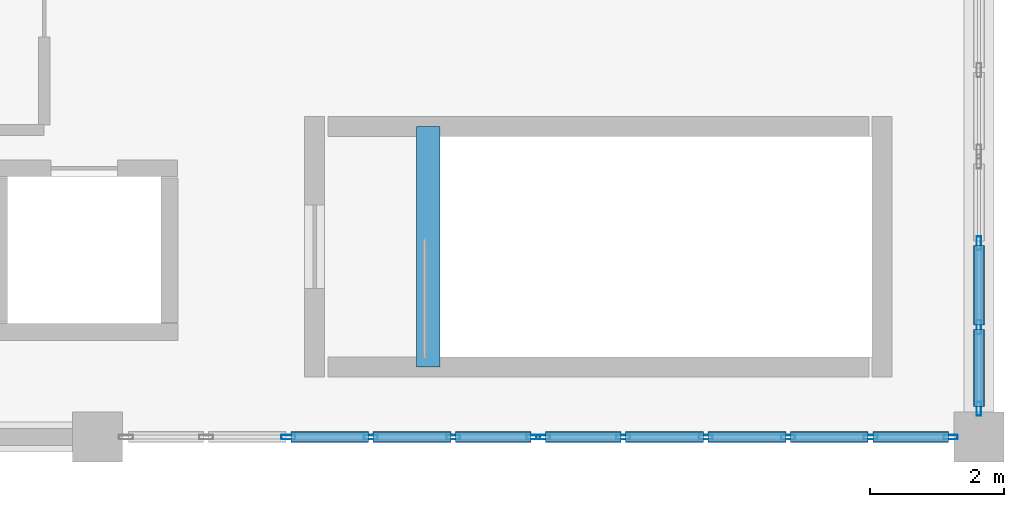
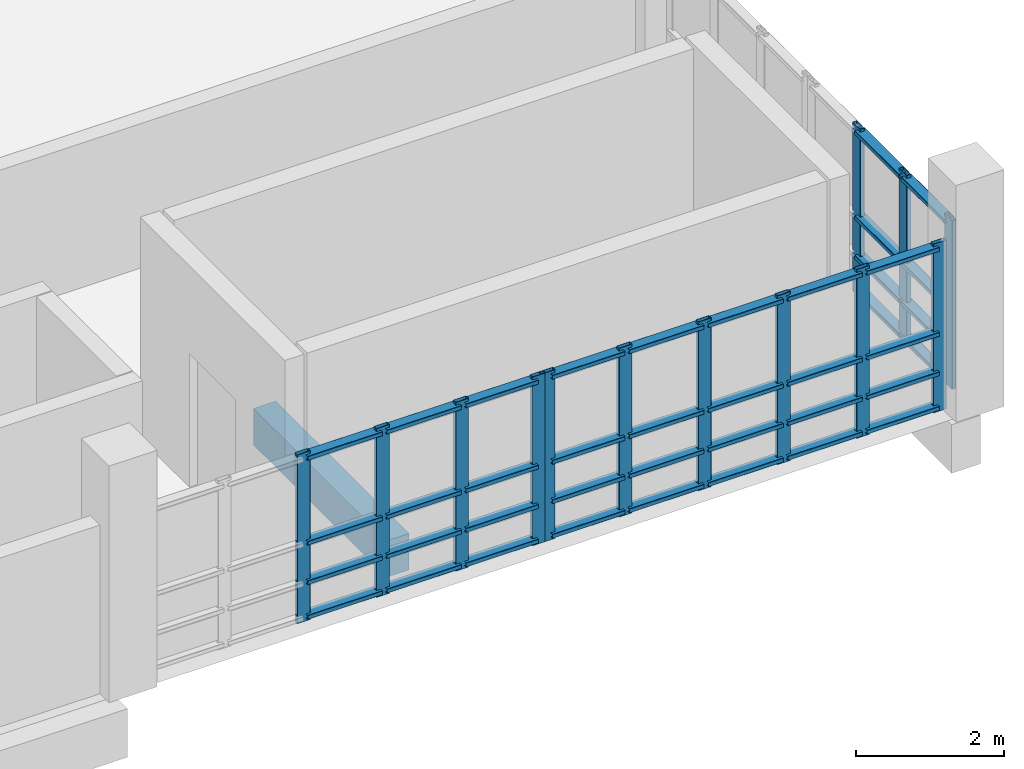
# One storey, part 118 of 188: 53 members, 1 beam, 3 elements without a shape of their own.
"""IFC4 building model written with IfcOpenShell, lengths in metres."""

from ifc_helpers import new_model, si_unit, direction, frame, origin, origin_2d, place, context, subcontext, project, spatial, rectangle, hollow_rectangle, extrude, material, layer, layer_set, material_profile, profile_set, type_object, element, aggregate, save


model = new_model("IFC4")

# Units and contexts
model_context = context("Model", 3, precision=1e-05, world=origin(), true_north=direction((0.0, 1.0)))
body_context = subcontext(model_context, "Body", "Model", "MODEL_VIEW")
ifc_project = project(units=[si_unit("LENGTHUNIT", "METRE"), si_unit("AREAUNIT", "SQUARE_METRE"), si_unit("VOLUMEUNIT", "CUBIC_METRE"), si_unit("PLANEANGLEUNIT", "RADIAN"), si_unit("MASSUNIT", "GRAM", prefix="KILO")], contexts=[model_context])

# Site, building, storey
site_placement = place(None, origin())
site = spatial("IfcSite", under=ifc_project, at=site_placement, CompositionType="ELEMENT")
building_placement = place(site_placement, origin())
building = spatial("IfcBuilding", under=site, at=building_placement, Name="Kisaragi Civic Commons", CompositionType="ELEMENT")
storey_placement = place(building_placement, frame((0.0, 0.0, 9.60009765625)))
storey = spatial("IfcBuildingStorey", under=building, at=storey_placement, Name="L02", CompositionType="ELEMENT", Elevation=9.60009765625)

# Curtain wall, members
ifc_material_1 = material(Name="Thermally broken anodized aluminium and low-E double glazing", Category="aluminium")
ifc_layer = layer(ifc_material_1, 0.2099609375, Name="Thermally broken anodized aluminium and low-E double glazing", Category="aluminium")
ifc_layer_set = layer_set([ifc_layer], Name="Thermally broken anodized aluminium and low-E double glazing")
curtain_wall_type = type_object("IfcCurtainWallType", Name="CW-02", PredefinedType="NOTDEFINED", material=ifc_layer_set)
curtain_wall_1_placement = place(storey_placement, origin())
curtain_wall_1 = element("IfcCurtainWall", 1, at=curtain_wall_1_placement, inside=storey, type_object=curtain_wall_type, Name="L02 curtain wall CW-02 CW-V3-L02-040", PredefinedType="NOTDEFINED")
ifc_material_profile_1 = material_profile(ifc_material_1, hollow_rectangle(XDim=0.070068359375, YDim=0.2099609375, WallThickness=0.0048828125, InnerFilletRadius=0.0048828125, OuterFilletRadius=0.010009765625, at=origin_2d()), Name="CWM-70x210x5", Category="aluminium")
ifc_profile_set_1 = profile_set([ifc_material_profile_1], Name="Thermally broken anodized aluminium and low-E double glazing")
member_type_1 = type_object("IfcMemberType", Name="CWM-03", PredefinedType="MULLION", material=ifc_profile_set_1)
member_1_placement = place(storey_placement, frame((172.800048828125, 2.9033203125, 0.0), z_axis=(0.0, 0.0, 1.0), x_axis=(1.0, 0.0, 0.0)))
member_1 = element("IfcMember", 2, at=member_1_placement, type_object=member_type_1, Name="CW-02 mullion 2", PredefinedType="MULLION", context=body_context, shape_type="SweptSolid", body=[
    extrude(hollow_rectangle(XDim=0.070068359375, YDim=0.2099609375, WallThickness=0.0048828125, InnerFilletRadius=0.0048828125, OuterFilletRadius=0.010009765625, at=origin_2d()), origin(), (0.0, 0.0, 1.0), 2.77978515625),
])
member_2_placement = place(storey_placement, frame((172.800048828125, 1.646728515625, 0.0), z_axis=(0.0, 0.0, 1.0), x_axis=(1.0, 0.0, 0.0)))
member_2 = element("IfcMember", 3, at=member_2_placement, type_object=member_type_1, Name="CW-02 mullion 3", PredefinedType="MULLION", context=body_context, shape_type="SweptSolid", body=[
    extrude(hollow_rectangle(XDim=0.070068359375, YDim=0.2099609375, WallThickness=0.0048828125, InnerFilletRadius=0.0048828125, OuterFilletRadius=0.010009765625, at=origin_2d()), origin(), (0.0, 0.0, 1.0), 2.77978515625),
])
member_3_placement = place(storey_placement, frame((172.800048828125, 0.425048828125, 0.0), z_axis=(0.0, 0.0, 1.0), x_axis=(1.0, 0.0, 0.0)))
member_3 = element("IfcMember", 4, at=member_3_placement, type_object=member_type_1, Name="CW-02 mullion 4", PredefinedType="MULLION", context=body_context, shape_type="SweptSolid", body=[
    extrude(hollow_rectangle(XDim=0.070068359375, YDim=0.2099609375, WallThickness=0.0048828125, InnerFilletRadius=0.0048828125, OuterFilletRadius=0.010009765625, at=origin_2d()), origin(), (0.0, 0.0, 1.0), 2.77978515625),
])

curtain_wall_2_placement = place(storey_placement, origin())
curtain_wall_2 = element("IfcCurtainWall", 5, at=curtain_wall_2_placement, inside=storey, type_object=curtain_wall_type, Name="L02 curtain wall CW-02 CW-V3-L02-041", PredefinedType="NOTDEFINED")
member_4_placement = place(storey_placement, frame((172.375, 0.0, 0.0), z_axis=(0.0, 0.0, 1.0), x_axis=(0.0, -1.0, 0.0)))
member_4 = element("IfcMember", 6, at=member_4_placement, type_object=member_type_1, Name="CW-02 mullion 1", PredefinedType="MULLION", context=body_context, shape_type="SweptSolid", body=[
    extrude(hollow_rectangle(XDim=0.070068359375, YDim=0.2099609375, WallThickness=0.0048828125, InnerFilletRadius=0.0048828125, OuterFilletRadius=0.010009765625, at=origin_2d()), origin(), (0.0, 0.0, 1.0), 2.77978515625),
])
member_5_placement = place(storey_placement, frame((171.176025390625, 0.0, 0.0), z_axis=(0.0, 0.0, 1.0), x_axis=(0.0, -1.0, 0.0)))
member_5 = element("IfcMember", 7, at=member_5_placement, type_object=member_type_1, Name="CW-02 mullion 2", PredefinedType="MULLION", context=body_context, shape_type="SweptSolid", body=[
    extrude(hollow_rectangle(XDim=0.070068359375, YDim=0.2099609375, WallThickness=0.0048828125, InnerFilletRadius=0.0048828125, OuterFilletRadius=0.010009765625, at=origin_2d()), origin(), (0.0, 0.0, 1.0), 2.77978515625),
])
member_6_placement = place(storey_placement, frame((169.94189453125, 0.0, 0.0), z_axis=(0.0, 0.0, 1.0), x_axis=(0.0, -1.0, 0.0)))
member_6 = element("IfcMember", 8, at=member_6_placement, type_object=member_type_1, Name="CW-02 mullion 3", PredefinedType="MULLION", context=body_context, shape_type="SweptSolid", body=[
    extrude(hollow_rectangle(XDim=0.070068359375, YDim=0.2099609375, WallThickness=0.0048828125, InnerFilletRadius=0.0048828125, OuterFilletRadius=0.010009765625, at=origin_2d()), origin(), (0.0, 0.0, 1.0), 2.77978515625),
])
member_7_placement = place(storey_placement, frame((168.7080078125, 0.0, 0.0), z_axis=(0.0, 0.0, 1.0), x_axis=(0.0, -1.0, 0.0)))
member_7 = element("IfcMember", 9, at=member_7_placement, type_object=member_type_1, Name="CW-02 mullion 4", PredefinedType="MULLION", context=body_context, shape_type="SweptSolid", body=[
    extrude(hollow_rectangle(XDim=0.070068359375, YDim=0.2099609375, WallThickness=0.0048828125, InnerFilletRadius=0.0048828125, OuterFilletRadius=0.010009765625, at=origin_2d()), origin(), (0.0, 0.0, 1.0), 2.77978515625),
])
member_8_placement = place(storey_placement, frame((167.47412109375, 0.0, 0.0), z_axis=(0.0, 0.0, 1.0), x_axis=(0.0, -1.0, 0.0)))
member_8 = element("IfcMember", 10, at=member_8_placement, type_object=member_type_1, Name="CW-02 mullion 5", PredefinedType="MULLION", context=body_context, shape_type="SweptSolid", body=[
    extrude(hollow_rectangle(XDim=0.070068359375, YDim=0.2099609375, WallThickness=0.0048828125, InnerFilletRadius=0.0048828125, OuterFilletRadius=0.010009765625, at=origin_2d()), origin(), (0.0, 0.0, 1.0), 2.77978515625),
])
member_9_placement = place(storey_placement, frame((166.27490234375, 0.0, 0.0), z_axis=(0.0, 0.0, 1.0), x_axis=(0.0, -1.0, 0.0)))
member_9 = element("IfcMember", 11, at=member_9_placement, type_object=member_type_1, Name="CW-02 mullion 6", PredefinedType="MULLION", context=body_context, shape_type="SweptSolid", body=[
    extrude(hollow_rectangle(XDim=0.070068359375, YDim=0.2099609375, WallThickness=0.0048828125, InnerFilletRadius=0.0048828125, OuterFilletRadius=0.010009765625, at=origin_2d()), origin(), (0.0, 0.0, 1.0), 2.77978515625),
])

curtain_wall_3_placement = place(storey_placement, origin())
curtain_wall_3 = element("IfcCurtainWall", 12, at=curtain_wall_3_placement, inside=storey, type_object=curtain_wall_type, Name="L02 curtain wall CW-02 CW-V3-L02-042", PredefinedType="NOTDEFINED")
member_10_placement = place(storey_placement, frame((166.125, 0.0, 0.0), z_axis=(0.0, 0.0, 1.0), x_axis=(0.0, -1.0, 0.0)))
member_10 = element("IfcMember", 13, at=member_10_placement, type_object=member_type_1, Name="CW-02 mullion 1", PredefinedType="MULLION", context=body_context, shape_type="SweptSolid", body=[
    extrude(hollow_rectangle(XDim=0.070068359375, YDim=0.2099609375, WallThickness=0.0048828125, InnerFilletRadius=0.0048828125, OuterFilletRadius=0.010009765625, at=origin_2d()), origin(), (0.0, 0.0, 1.0), 2.77978515625),
])
member_11_placement = place(storey_placement, frame((164.926025390625, 0.0, 0.0), z_axis=(0.0, 0.0, 1.0), x_axis=(0.0, -1.0, 0.0)))
member_11 = element("IfcMember", 14, at=member_11_placement, type_object=member_type_1, Name="CW-02 mullion 2", PredefinedType="MULLION", context=body_context, shape_type="SweptSolid", body=[
    extrude(hollow_rectangle(XDim=0.070068359375, YDim=0.2099609375, WallThickness=0.0048828125, InnerFilletRadius=0.0048828125, OuterFilletRadius=0.010009765625, at=origin_2d()), origin(), (0.0, 0.0, 1.0), 2.77978515625),
])
member_12_placement = place(storey_placement, frame((163.69189453125, 0.0, 0.0), z_axis=(0.0, 0.0, 1.0), x_axis=(0.0, -1.0, 0.0)))
member_12 = element("IfcMember", 15, at=member_12_placement, type_object=member_type_1, Name="CW-02 mullion 3", PredefinedType="MULLION", context=body_context, shape_type="SweptSolid", body=[
    extrude(hollow_rectangle(XDim=0.070068359375, YDim=0.2099609375, WallThickness=0.0048828125, InnerFilletRadius=0.0048828125, OuterFilletRadius=0.010009765625, at=origin_2d()), origin(), (0.0, 0.0, 1.0), 2.77978515625),
])
member_13_placement = place(storey_placement, frame((162.4580078125, 0.0, 0.0), z_axis=(0.0, 0.0, 1.0), x_axis=(0.0, -1.0, 0.0)))
member_13 = element("IfcMember", 16, at=member_13_placement, type_object=member_type_1, Name="CW-02 mullion 4", PredefinedType="MULLION", context=body_context, shape_type="SweptSolid", body=[
    extrude(hollow_rectangle(XDim=0.070068359375, YDim=0.2099609375, WallThickness=0.0048828125, InnerFilletRadius=0.0048828125, OuterFilletRadius=0.010009765625, at=origin_2d()), origin(), (0.0, 0.0, 1.0), 2.77978515625),
])

# Member
ifc_material_profile_2 = material_profile(ifc_material_1, hollow_rectangle(XDim=0.159912109375, YDim=0.070068359375, WallThickness=0.0048828125, InnerFilletRadius=0.0048828125, OuterFilletRadius=0.010009765625, at=origin_2d()), Name="CWT-70x160x5", Category="aluminium")
ifc_profile_set_2 = profile_set([ifc_material_profile_2], Name="Thermally broken anodized aluminium and low-E double glazing")
member_type_2 = type_object("IfcMemberType", Name="CWT-03", PredefinedType="USERDEFINED", material=ifc_profile_set_2)
member_14_placement = place(storey_placement, frame((172.800048828125, 2.868408203125, 0.079833984375), z_axis=(0.0, -1.0, 0.0), x_axis=(1.0, 0.0, 0.0)))
member_14 = element("IfcMember", 17, at=member_14_placement, type_object=member_type_2, Name="CW-02 transom 2.1", ObjectType="TRANSOM", PredefinedType="USERDEFINED", context=body_context, shape_type="SweptSolid", body=[
    extrude(hollow_rectangle(XDim=0.159912109375, YDim=0.070068359375, WallThickness=0.0048828125, InnerFilletRadius=0.0048828125, OuterFilletRadius=0.010009765625, at=origin_2d()), origin(), (0.0, 0.0, 1.0), 1.186767578125),
])

member_15_placement = place(storey_placement, frame((172.800048828125, 2.868408203125, 0.64990234375), z_axis=(0.0, -1.0, 0.0), x_axis=(1.0, 0.0, 0.0)))
member_15 = element("IfcMember", 18, at=member_15_placement, type_object=member_type_2, Name="CW-02 transom 2.2", ObjectType="TRANSOM", PredefinedType="USERDEFINED", context=body_context, shape_type="SweptSolid", body=[
    extrude(hollow_rectangle(XDim=0.159912109375, YDim=0.070068359375, WallThickness=0.0048828125, InnerFilletRadius=0.0048828125, OuterFilletRadius=0.010009765625, at=origin_2d()), origin(), (0.0, 0.0, 1.0), 1.186767578125),
])

member_16_placement = place(storey_placement, frame((172.800048828125, 2.868408203125, 1.2998046875), z_axis=(0.0, -1.0, 0.0), x_axis=(1.0, 0.0, 0.0)))
member_16 = element("IfcMember", 19, at=member_16_placement, type_object=member_type_2, Name="CW-02 transom 2.3", ObjectType="TRANSOM", PredefinedType="USERDEFINED", context=body_context, shape_type="SweptSolid", body=[
    extrude(hollow_rectangle(XDim=0.159912109375, YDim=0.070068359375, WallThickness=0.0048828125, InnerFilletRadius=0.0048828125, OuterFilletRadius=0.010009765625, at=origin_2d()), origin(), (0.0, 0.0, 1.0), 1.186767578125),
])

member_17_placement = place(storey_placement, frame((172.800048828125, 2.868408203125, 2.699951171875), z_axis=(0.0, -1.0, 0.0), x_axis=(1.0, 0.0, 0.0)))
member_17 = element("IfcMember", 20, at=member_17_placement, type_object=member_type_2, Name="CW-02 transom 2.4", ObjectType="TRANSOM", PredefinedType="USERDEFINED", context=body_context, shape_type="SweptSolid", body=[
    extrude(hollow_rectangle(XDim=0.159912109375, YDim=0.070068359375, WallThickness=0.0048828125, InnerFilletRadius=0.0048828125, OuterFilletRadius=0.010009765625, at=origin_2d()), origin(), (0.0, 0.0, 1.0), 1.186767578125),
])

member_18_placement = place(storey_placement, frame((172.800048828125, 1.611572265625, 0.079833984375), z_axis=(0.0, -1.0, 0.0), x_axis=(1.0, 0.0, 0.0)))
member_18 = element("IfcMember", 21, at=member_18_placement, type_object=member_type_2, Name="CW-02 transom 3.1", ObjectType="TRANSOM", PredefinedType="USERDEFINED", context=body_context, shape_type="SweptSolid", body=[
    extrude(hollow_rectangle(XDim=0.159912109375, YDim=0.070068359375, WallThickness=0.0048828125, InnerFilletRadius=0.0048828125, OuterFilletRadius=0.010009765625, at=origin_2d()), origin(), (0.0, 0.0, 1.0), 1.151611328125),
])

member_19_placement = place(storey_placement, frame((172.800048828125, 1.611572265625, 0.64990234375), z_axis=(0.0, -1.0, 0.0), x_axis=(1.0, 0.0, 0.0)))
member_19 = element("IfcMember", 22, at=member_19_placement, type_object=member_type_2, Name="CW-02 transom 3.2", ObjectType="TRANSOM", PredefinedType="USERDEFINED", context=body_context, shape_type="SweptSolid", body=[
    extrude(hollow_rectangle(XDim=0.159912109375, YDim=0.070068359375, WallThickness=0.0048828125, InnerFilletRadius=0.0048828125, OuterFilletRadius=0.010009765625, at=origin_2d()), origin(), (0.0, 0.0, 1.0), 1.151611328125),
])

member_20_placement = place(storey_placement, frame((172.800048828125, 1.611572265625, 1.2998046875), z_axis=(0.0, -1.0, 0.0), x_axis=(1.0, 0.0, 0.0)))
member_20 = element("IfcMember", 23, at=member_20_placement, type_object=member_type_2, Name="CW-02 transom 3.3", ObjectType="TRANSOM", PredefinedType="USERDEFINED", context=body_context, shape_type="SweptSolid", body=[
    extrude(hollow_rectangle(XDim=0.159912109375, YDim=0.070068359375, WallThickness=0.0048828125, InnerFilletRadius=0.0048828125, OuterFilletRadius=0.010009765625, at=origin_2d()), origin(), (0.0, 0.0, 1.0), 1.151611328125),
])

member_21_placement = place(storey_placement, frame((172.800048828125, 1.611572265625, 2.699951171875), z_axis=(0.0, -1.0, 0.0), x_axis=(1.0, 0.0, 0.0)))
member_21 = element("IfcMember", 24, at=member_21_placement, type_object=member_type_2, Name="CW-02 transom 3.4", ObjectType="TRANSOM", PredefinedType="USERDEFINED", context=body_context, shape_type="SweptSolid", body=[
    extrude(hollow_rectangle(XDim=0.159912109375, YDim=0.070068359375, WallThickness=0.0048828125, InnerFilletRadius=0.0048828125, OuterFilletRadius=0.010009765625, at=origin_2d()), origin(), (0.0, 0.0, 1.0), 1.151611328125),
])

aggregate(curtain_wall_1, [member_1, member_2, member_3, member_14, member_15, member_16, member_17, member_18, member_19, member_20, member_21])

member_22_placement = place(storey_placement, frame((172.340087890625, 0.0, 0.079833984375), z_axis=(-1.0, 0.0, 0.0), x_axis=(0.0, -1.0, 0.0)))
member_22 = element("IfcMember", 25, at=member_22_placement, type_object=member_type_2, Name="CW-02 transom 1.1", ObjectType="TRANSOM", PredefinedType="USERDEFINED", context=body_context, shape_type="SweptSolid", body=[
    extrude(hollow_rectangle(XDim=0.159912109375, YDim=0.070068359375, WallThickness=0.0048828125, InnerFilletRadius=0.0048828125, OuterFilletRadius=0.010009765625, at=origin_2d()), origin(), (0.0, 0.0, 1.0), 1.129150390625),
])

member_23_placement = place(storey_placement, frame((172.340087890625, 0.0, 0.64990234375), z_axis=(-1.0, 0.0, 0.0), x_axis=(0.0, -1.0, 0.0)))
member_23 = element("IfcMember", 26, at=member_23_placement, type_object=member_type_2, Name="CW-02 transom 1.2", ObjectType="TRANSOM", PredefinedType="USERDEFINED", context=body_context, shape_type="SweptSolid", body=[
    extrude(hollow_rectangle(XDim=0.159912109375, YDim=0.070068359375, WallThickness=0.0048828125, InnerFilletRadius=0.0048828125, OuterFilletRadius=0.010009765625, at=origin_2d()), origin(), (0.0, 0.0, 1.0), 1.129150390625),
])

member_24_placement = place(storey_placement, frame((172.340087890625, 0.0, 1.2998046875), z_axis=(-1.0, 0.0, 0.0), x_axis=(0.0, -1.0, 0.0)))
member_24 = element("IfcMember", 27, at=member_24_placement, type_object=member_type_2, Name="CW-02 transom 1.3", ObjectType="TRANSOM", PredefinedType="USERDEFINED", context=body_context, shape_type="SweptSolid", body=[
    extrude(hollow_rectangle(XDim=0.159912109375, YDim=0.070068359375, WallThickness=0.0048828125, InnerFilletRadius=0.0048828125, OuterFilletRadius=0.010009765625, at=origin_2d()), origin(), (0.0, 0.0, 1.0), 1.129150390625),
])

member_25_placement = place(storey_placement, frame((172.340087890625, 0.0, 2.699951171875), z_axis=(-1.0, 0.0, 0.0), x_axis=(0.0, -1.0, 0.0)))
member_25 = element("IfcMember", 28, at=member_25_placement, type_object=member_type_2, Name="CW-02 transom 1.4", ObjectType="TRANSOM", PredefinedType="USERDEFINED", context=body_context, shape_type="SweptSolid", body=[
    extrude(hollow_rectangle(XDim=0.159912109375, YDim=0.070068359375, WallThickness=0.0048828125, InnerFilletRadius=0.0048828125, OuterFilletRadius=0.010009765625, at=origin_2d()), origin(), (0.0, 0.0, 1.0), 1.129150390625),
])

member_26_placement = place(storey_placement, frame((171.14111328125, 0.0, 0.079833984375), z_axis=(-1.0, 0.0, 0.0), x_axis=(0.0, -1.0, 0.0)))
member_26 = element("IfcMember", 29, at=member_26_placement, type_object=member_type_2, Name="CW-02 transom 2.1", ObjectType="TRANSOM", PredefinedType="USERDEFINED", context=body_context, shape_type="SweptSolid", body=[
    extrude(hollow_rectangle(XDim=0.159912109375, YDim=0.070068359375, WallThickness=0.0048828125, InnerFilletRadius=0.0048828125, OuterFilletRadius=0.010009765625, at=origin_2d()), origin(), (0.0, 0.0, 1.0), 1.1640625),
])

member_27_placement = place(storey_placement, frame((171.14111328125, 0.0, 0.64990234375), z_axis=(-1.0, 0.0, 0.0), x_axis=(0.0, -1.0, 0.0)))
member_27 = element("IfcMember", 30, at=member_27_placement, type_object=member_type_2, Name="CW-02 transom 2.2", ObjectType="TRANSOM", PredefinedType="USERDEFINED", context=body_context, shape_type="SweptSolid", body=[
    extrude(hollow_rectangle(XDim=0.159912109375, YDim=0.070068359375, WallThickness=0.0048828125, InnerFilletRadius=0.0048828125, OuterFilletRadius=0.010009765625, at=origin_2d()), origin(), (0.0, 0.0, 1.0), 1.1640625),
])

member_28_placement = place(storey_placement, frame((171.14111328125, 0.0, 1.2998046875), z_axis=(-1.0, 0.0, 0.0), x_axis=(0.0, -1.0, 0.0)))
member_28 = element("IfcMember", 31, at=member_28_placement, type_object=member_type_2, Name="CW-02 transom 2.3", ObjectType="TRANSOM", PredefinedType="USERDEFINED", context=body_context, shape_type="SweptSolid", body=[
    extrude(hollow_rectangle(XDim=0.159912109375, YDim=0.070068359375, WallThickness=0.0048828125, InnerFilletRadius=0.0048828125, OuterFilletRadius=0.010009765625, at=origin_2d()), origin(), (0.0, 0.0, 1.0), 1.1640625),
])

member_29_placement = place(storey_placement, frame((171.14111328125, 0.0, 2.699951171875), z_axis=(-1.0, 0.0, 0.0), x_axis=(0.0, -1.0, 0.0)))
member_29 = element("IfcMember", 32, at=member_29_placement, type_object=member_type_2, Name="CW-02 transom 2.4", ObjectType="TRANSOM", PredefinedType="USERDEFINED", context=body_context, shape_type="SweptSolid", body=[
    extrude(hollow_rectangle(XDim=0.159912109375, YDim=0.070068359375, WallThickness=0.0048828125, InnerFilletRadius=0.0048828125, OuterFilletRadius=0.010009765625, at=origin_2d()), origin(), (0.0, 0.0, 1.0), 1.1640625),
])

member_30_placement = place(storey_placement, frame((169.906982421875, 0.0, 0.079833984375), z_axis=(-1.0, 0.0, 0.0), x_axis=(0.0, -1.0, 0.0)))
member_30 = element("IfcMember", 33, at=member_30_placement, type_object=member_type_2, Name="CW-02 transom 3.1", ObjectType="TRANSOM", PredefinedType="USERDEFINED", context=body_context, shape_type="SweptSolid", body=[
    extrude(hollow_rectangle(XDim=0.159912109375, YDim=0.070068359375, WallThickness=0.0048828125, InnerFilletRadius=0.0048828125, OuterFilletRadius=0.010009765625, at=origin_2d()), origin(), (0.0, 0.0, 1.0), 1.1640625),
])

member_31_placement = place(storey_placement, frame((169.906982421875, 0.0, 0.64990234375), z_axis=(-1.0, 0.0, 0.0), x_axis=(0.0, -1.0, 0.0)))
member_31 = element("IfcMember", 34, at=member_31_placement, type_object=member_type_2, Name="CW-02 transom 3.2", ObjectType="TRANSOM", PredefinedType="USERDEFINED", context=body_context, shape_type="SweptSolid", body=[
    extrude(hollow_rectangle(XDim=0.159912109375, YDim=0.070068359375, WallThickness=0.0048828125, InnerFilletRadius=0.0048828125, OuterFilletRadius=0.010009765625, at=origin_2d()), origin(), (0.0, 0.0, 1.0), 1.1640625),
])

member_32_placement = place(storey_placement, frame((169.906982421875, 0.0, 1.2998046875), z_axis=(-1.0, 0.0, 0.0), x_axis=(0.0, -1.0, 0.0)))
member_32 = element("IfcMember", 35, at=member_32_placement, type_object=member_type_2, Name="CW-02 transom 3.3", ObjectType="TRANSOM", PredefinedType="USERDEFINED", context=body_context, shape_type="SweptSolid", body=[
    extrude(hollow_rectangle(XDim=0.159912109375, YDim=0.070068359375, WallThickness=0.0048828125, InnerFilletRadius=0.0048828125, OuterFilletRadius=0.010009765625, at=origin_2d()), origin(), (0.0, 0.0, 1.0), 1.1640625),
])

member_33_placement = place(storey_placement, frame((169.906982421875, 0.0, 2.699951171875), z_axis=(-1.0, 0.0, 0.0), x_axis=(0.0, -1.0, 0.0)))
member_33 = element("IfcMember", 36, at=member_33_placement, type_object=member_type_2, Name="CW-02 transom 3.4", ObjectType="TRANSOM", PredefinedType="USERDEFINED", context=body_context, shape_type="SweptSolid", body=[
    extrude(hollow_rectangle(XDim=0.159912109375, YDim=0.070068359375, WallThickness=0.0048828125, InnerFilletRadius=0.0048828125, OuterFilletRadius=0.010009765625, at=origin_2d()), origin(), (0.0, 0.0, 1.0), 1.1640625),
])

member_34_placement = place(storey_placement, frame((168.673095703125, 0.0, 0.079833984375), z_axis=(-1.0, 0.0, 0.0), x_axis=(0.0, -1.0, 0.0)))
member_34 = element("IfcMember", 37, at=member_34_placement, type_object=member_type_2, Name="CW-02 transom 4.1", ObjectType="TRANSOM", PredefinedType="USERDEFINED", context=body_context, shape_type="SweptSolid", body=[
    extrude(hollow_rectangle(XDim=0.159912109375, YDim=0.070068359375, WallThickness=0.0048828125, InnerFilletRadius=0.0048828125, OuterFilletRadius=0.010009765625, at=origin_2d()), origin(), (0.0, 0.0, 1.0), 1.1640625),
])

member_35_placement = place(storey_placement, frame((168.673095703125, 0.0, 0.64990234375), z_axis=(-1.0, 0.0, 0.0), x_axis=(0.0, -1.0, 0.0)))
member_35 = element("IfcMember", 38, at=member_35_placement, type_object=member_type_2, Name="CW-02 transom 4.2", ObjectType="TRANSOM", PredefinedType="USERDEFINED", context=body_context, shape_type="SweptSolid", body=[
    extrude(hollow_rectangle(XDim=0.159912109375, YDim=0.070068359375, WallThickness=0.0048828125, InnerFilletRadius=0.0048828125, OuterFilletRadius=0.010009765625, at=origin_2d()), origin(), (0.0, 0.0, 1.0), 1.1640625),
])

member_36_placement = place(storey_placement, frame((168.673095703125, 0.0, 1.2998046875), z_axis=(-1.0, 0.0, 0.0), x_axis=(0.0, -1.0, 0.0)))
member_36 = element("IfcMember", 39, at=member_36_placement, type_object=member_type_2, Name="CW-02 transom 4.3", ObjectType="TRANSOM", PredefinedType="USERDEFINED", context=body_context, shape_type="SweptSolid", body=[
    extrude(hollow_rectangle(XDim=0.159912109375, YDim=0.070068359375, WallThickness=0.0048828125, InnerFilletRadius=0.0048828125, OuterFilletRadius=0.010009765625, at=origin_2d()), origin(), (0.0, 0.0, 1.0), 1.1640625),
])

member_37_placement = place(storey_placement, frame((168.673095703125, 0.0, 2.699951171875), z_axis=(-1.0, 0.0, 0.0), x_axis=(0.0, -1.0, 0.0)))
member_37 = element("IfcMember", 40, at=member_37_placement, type_object=member_type_2, Name="CW-02 transom 4.4", ObjectType="TRANSOM", PredefinedType="USERDEFINED", context=body_context, shape_type="SweptSolid", body=[
    extrude(hollow_rectangle(XDim=0.159912109375, YDim=0.070068359375, WallThickness=0.0048828125, InnerFilletRadius=0.0048828125, OuterFilletRadius=0.010009765625, at=origin_2d()), origin(), (0.0, 0.0, 1.0), 1.1640625),
])

member_38_placement = place(storey_placement, frame((167.43896484375, 0.0, 0.079833984375), z_axis=(-1.0, 0.0, 0.0), x_axis=(0.0, -1.0, 0.0)))
member_38 = element("IfcMember", 41, at=member_38_placement, type_object=member_type_2, Name="CW-02 transom 5.1", ObjectType="TRANSOM", PredefinedType="USERDEFINED", context=body_context, shape_type="SweptSolid", body=[
    extrude(hollow_rectangle(XDim=0.159912109375, YDim=0.070068359375, WallThickness=0.0048828125, InnerFilletRadius=0.0048828125, OuterFilletRadius=0.010009765625, at=origin_2d()), origin(), (0.0, 0.0, 1.0), 1.12890625),
])

member_39_placement = place(storey_placement, frame((167.43896484375, 0.0, 0.64990234375), z_axis=(-1.0, 0.0, 0.0), x_axis=(0.0, -1.0, 0.0)))
member_39 = element("IfcMember", 42, at=member_39_placement, type_object=member_type_2, Name="CW-02 transom 5.2", ObjectType="TRANSOM", PredefinedType="USERDEFINED", context=body_context, shape_type="SweptSolid", body=[
    extrude(hollow_rectangle(XDim=0.159912109375, YDim=0.070068359375, WallThickness=0.0048828125, InnerFilletRadius=0.0048828125, OuterFilletRadius=0.010009765625, at=origin_2d()), origin(), (0.0, 0.0, 1.0), 1.12890625),
])

member_40_placement = place(storey_placement, frame((167.43896484375, 0.0, 1.2998046875), z_axis=(-1.0, 0.0, 0.0), x_axis=(0.0, -1.0, 0.0)))
member_40 = element("IfcMember", 43, at=member_40_placement, type_object=member_type_2, Name="CW-02 transom 5.3", ObjectType="TRANSOM", PredefinedType="USERDEFINED", context=body_context, shape_type="SweptSolid", body=[
    extrude(hollow_rectangle(XDim=0.159912109375, YDim=0.070068359375, WallThickness=0.0048828125, InnerFilletRadius=0.0048828125, OuterFilletRadius=0.010009765625, at=origin_2d()), origin(), (0.0, 0.0, 1.0), 1.12890625),
])

member_41_placement = place(storey_placement, frame((167.43896484375, 0.0, 2.699951171875), z_axis=(-1.0, 0.0, 0.0), x_axis=(0.0, -1.0, 0.0)))
member_41 = element("IfcMember", 44, at=member_41_placement, type_object=member_type_2, Name="CW-02 transom 5.4", ObjectType="TRANSOM", PredefinedType="USERDEFINED", context=body_context, shape_type="SweptSolid", body=[
    extrude(hollow_rectangle(XDim=0.159912109375, YDim=0.070068359375, WallThickness=0.0048828125, InnerFilletRadius=0.0048828125, OuterFilletRadius=0.010009765625, at=origin_2d()), origin(), (0.0, 0.0, 1.0), 1.12890625),
])

aggregate(curtain_wall_2, [member_4, member_5, member_6, member_7, member_8, member_9, member_22, member_23, member_24, member_25, member_26, member_27, member_28, member_29, member_30, member_31, member_32, member_33, member_34, member_35, member_36, member_37, member_38, member_39, member_40, member_41])

member_42_placement = place(storey_placement, frame((166.090087890625, 0.0, 0.079833984375), z_axis=(-1.0, 0.0, 0.0), x_axis=(0.0, -1.0, 0.0)))
member_42 = element("IfcMember", 45, at=member_42_placement, type_object=member_type_2, Name="CW-02 transom 1.1", ObjectType="TRANSOM", PredefinedType="USERDEFINED", context=body_context, shape_type="SweptSolid", body=[
    extrude(hollow_rectangle(XDim=0.159912109375, YDim=0.070068359375, WallThickness=0.0048828125, InnerFilletRadius=0.0048828125, OuterFilletRadius=0.010009765625, at=origin_2d()), origin(), (0.0, 0.0, 1.0), 1.129150390625),
])

member_43_placement = place(storey_placement, frame((166.090087890625, 0.0, 0.64990234375), z_axis=(-1.0, 0.0, 0.0), x_axis=(0.0, -1.0, 0.0)))
member_43 = element("IfcMember", 46, at=member_43_placement, type_object=member_type_2, Name="CW-02 transom 1.2", ObjectType="TRANSOM", PredefinedType="USERDEFINED", context=body_context, shape_type="SweptSolid", body=[
    extrude(hollow_rectangle(XDim=0.159912109375, YDim=0.070068359375, WallThickness=0.0048828125, InnerFilletRadius=0.0048828125, OuterFilletRadius=0.010009765625, at=origin_2d()), origin(), (0.0, 0.0, 1.0), 1.129150390625),
])

member_44_placement = place(storey_placement, frame((166.090087890625, 0.0, 1.2998046875), z_axis=(-1.0, 0.0, 0.0), x_axis=(0.0, -1.0, 0.0)))
member_44 = element("IfcMember", 47, at=member_44_placement, type_object=member_type_2, Name="CW-02 transom 1.3", ObjectType="TRANSOM", PredefinedType="USERDEFINED", context=body_context, shape_type="SweptSolid", body=[
    extrude(hollow_rectangle(XDim=0.159912109375, YDim=0.070068359375, WallThickness=0.0048828125, InnerFilletRadius=0.0048828125, OuterFilletRadius=0.010009765625, at=origin_2d()), origin(), (0.0, 0.0, 1.0), 1.129150390625),
])

member_45_placement = place(storey_placement, frame((166.090087890625, 0.0, 2.699951171875), z_axis=(-1.0, 0.0, 0.0), x_axis=(0.0, -1.0, 0.0)))
member_45 = element("IfcMember", 48, at=member_45_placement, type_object=member_type_2, Name="CW-02 transom 1.4", ObjectType="TRANSOM", PredefinedType="USERDEFINED", context=body_context, shape_type="SweptSolid", body=[
    extrude(hollow_rectangle(XDim=0.159912109375, YDim=0.070068359375, WallThickness=0.0048828125, InnerFilletRadius=0.0048828125, OuterFilletRadius=0.010009765625, at=origin_2d()), origin(), (0.0, 0.0, 1.0), 1.129150390625),
])

member_46_placement = place(storey_placement, frame((164.89111328125, 0.0, 0.079833984375), z_axis=(-1.0, 0.0, 0.0), x_axis=(0.0, -1.0, 0.0)))
member_46 = element("IfcMember", 49, at=member_46_placement, type_object=member_type_2, Name="CW-02 transom 2.1", ObjectType="TRANSOM", PredefinedType="USERDEFINED", context=body_context, shape_type="SweptSolid", body=[
    extrude(hollow_rectangle(XDim=0.159912109375, YDim=0.070068359375, WallThickness=0.0048828125, InnerFilletRadius=0.0048828125, OuterFilletRadius=0.010009765625, at=origin_2d()), origin(), (0.0, 0.0, 1.0), 1.1640625),
])

member_47_placement = place(storey_placement, frame((164.89111328125, 0.0, 0.64990234375), z_axis=(-1.0, 0.0, 0.0), x_axis=(0.0, -1.0, 0.0)))
member_47 = element("IfcMember", 50, at=member_47_placement, type_object=member_type_2, Name="CW-02 transom 2.2", ObjectType="TRANSOM", PredefinedType="USERDEFINED", context=body_context, shape_type="SweptSolid", body=[
    extrude(hollow_rectangle(XDim=0.159912109375, YDim=0.070068359375, WallThickness=0.0048828125, InnerFilletRadius=0.0048828125, OuterFilletRadius=0.010009765625, at=origin_2d()), origin(), (0.0, 0.0, 1.0), 1.1640625),
])

member_48_placement = place(storey_placement, frame((164.89111328125, 0.0, 1.2998046875), z_axis=(-1.0, 0.0, 0.0), x_axis=(0.0, -1.0, 0.0)))
member_48 = element("IfcMember", 51, at=member_48_placement, type_object=member_type_2, Name="CW-02 transom 2.3", ObjectType="TRANSOM", PredefinedType="USERDEFINED", context=body_context, shape_type="SweptSolid", body=[
    extrude(hollow_rectangle(XDim=0.159912109375, YDim=0.070068359375, WallThickness=0.0048828125, InnerFilletRadius=0.0048828125, OuterFilletRadius=0.010009765625, at=origin_2d()), origin(), (0.0, 0.0, 1.0), 1.1640625),
])

member_49_placement = place(storey_placement, frame((164.89111328125, 0.0, 2.699951171875), z_axis=(-1.0, 0.0, 0.0), x_axis=(0.0, -1.0, 0.0)))
member_49 = element("IfcMember", 52, at=member_49_placement, type_object=member_type_2, Name="CW-02 transom 2.4", ObjectType="TRANSOM", PredefinedType="USERDEFINED", context=body_context, shape_type="SweptSolid", body=[
    extrude(hollow_rectangle(XDim=0.159912109375, YDim=0.070068359375, WallThickness=0.0048828125, InnerFilletRadius=0.0048828125, OuterFilletRadius=0.010009765625, at=origin_2d()), origin(), (0.0, 0.0, 1.0), 1.1640625),
])

member_50_placement = place(storey_placement, frame((163.656982421875, 0.0, 0.079833984375), z_axis=(-1.0, 0.0, 0.0), x_axis=(0.0, -1.0, 0.0)))
member_50 = element("IfcMember", 53, at=member_50_placement, type_object=member_type_2, Name="CW-02 transom 3.1", ObjectType="TRANSOM", PredefinedType="USERDEFINED", context=body_context, shape_type="SweptSolid", body=[
    extrude(hollow_rectangle(XDim=0.159912109375, YDim=0.070068359375, WallThickness=0.0048828125, InnerFilletRadius=0.0048828125, OuterFilletRadius=0.010009765625, at=origin_2d()), origin(), (0.0, 0.0, 1.0), 1.1640625),
])

member_51_placement = place(storey_placement, frame((163.656982421875, 0.0, 0.64990234375), z_axis=(-1.0, 0.0, 0.0), x_axis=(0.0, -1.0, 0.0)))
member_51 = element("IfcMember", 54, at=member_51_placement, type_object=member_type_2, Name="CW-02 transom 3.2", ObjectType="TRANSOM", PredefinedType="USERDEFINED", context=body_context, shape_type="SweptSolid", body=[
    extrude(hollow_rectangle(XDim=0.159912109375, YDim=0.070068359375, WallThickness=0.0048828125, InnerFilletRadius=0.0048828125, OuterFilletRadius=0.010009765625, at=origin_2d()), origin(), (0.0, 0.0, 1.0), 1.1640625),
])

member_52_placement = place(storey_placement, frame((163.656982421875, 0.0, 1.2998046875), z_axis=(-1.0, 0.0, 0.0), x_axis=(0.0, -1.0, 0.0)))
member_52 = element("IfcMember", 55, at=member_52_placement, type_object=member_type_2, Name="CW-02 transom 3.3", ObjectType="TRANSOM", PredefinedType="USERDEFINED", context=body_context, shape_type="SweptSolid", body=[
    extrude(hollow_rectangle(XDim=0.159912109375, YDim=0.070068359375, WallThickness=0.0048828125, InnerFilletRadius=0.0048828125, OuterFilletRadius=0.010009765625, at=origin_2d()), origin(), (0.0, 0.0, 1.0), 1.1640625),
])

member_53_placement = place(storey_placement, frame((163.656982421875, 0.0, 2.699951171875), z_axis=(-1.0, 0.0, 0.0), x_axis=(0.0, -1.0, 0.0)))
member_53 = element("IfcMember", 56, at=member_53_placement, type_object=member_type_2, Name="CW-02 transom 3.4", ObjectType="TRANSOM", PredefinedType="USERDEFINED", context=body_context, shape_type="SweptSolid", body=[
    extrude(hollow_rectangle(XDim=0.159912109375, YDim=0.070068359375, WallThickness=0.0048828125, InnerFilletRadius=0.0048828125, OuterFilletRadius=0.010009765625, at=origin_2d()), origin(), (0.0, 0.0, 1.0), 1.1640625),
])

aggregate(curtain_wall_3, [member_10, member_11, member_12, member_13, member_42, member_43, member_44, member_45, member_46, member_47, member_48, member_49, member_50, member_51, member_52, member_53])

# Beam
ifc_material_2 = material(Name="Concrete Fc30", Category="concrete")
ifc_material_profile_3 = material_profile(ifc_material_2, rectangle(XDim=0.35009765625, YDim=0.60009765625, at=origin_2d()), Name="RC-350x600", Category="concrete")
ifc_profile_set_3 = profile_set([ifc_material_profile_3], Name="Concrete Fc30")
beam_type = type_object("IfcBeamType", Name="G-14", PredefinedType="BEAM", material=ifc_profile_set_3)
beam_placement = place(storey_placement, frame((164.550048828125, 1.050048828125, -0.300048828125), z_axis=(0.0, 1.0, 0.0), x_axis=(-1.0, 0.0, 0.0)))
element("IfcBeam", 57, at=beam_placement, inside=storey, type_object=beam_type, Name="ST-D2 L02 stair landing trimmer beam", PredefinedType="BEAM", context=body_context, shape_type="SweptSolid", body=[
    extrude(rectangle(XDim=0.35009765625, YDim=0.60009765625, at=origin_2d()), origin(), (0.0, 0.0, 1.0), 3.599853515625),
])

save(model, "model.ifc")
